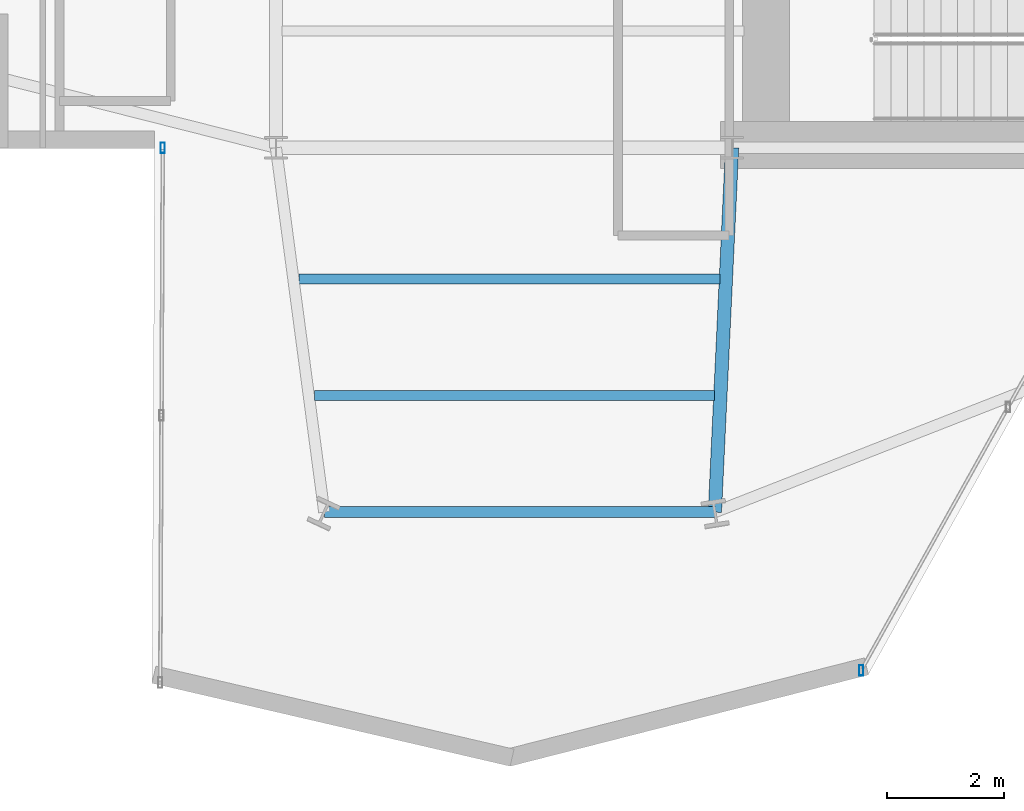
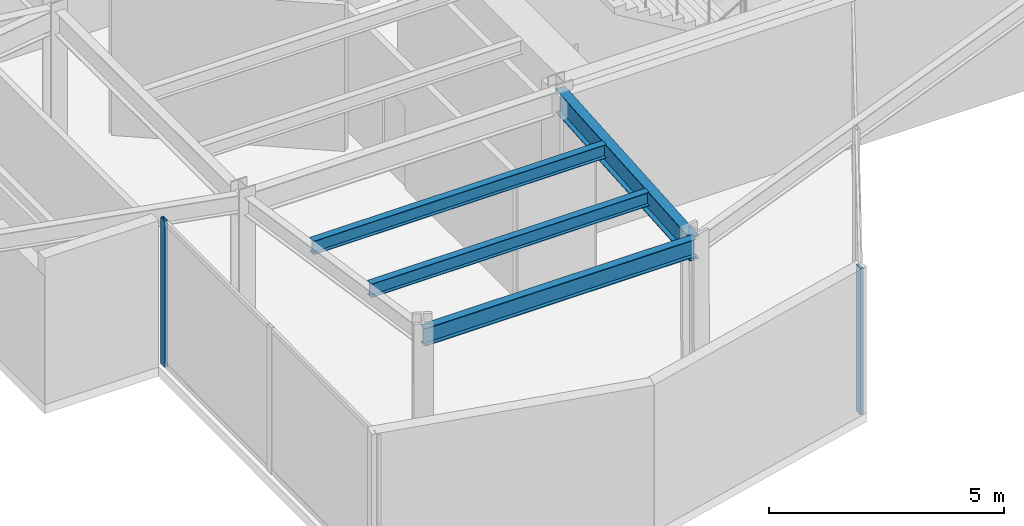
# One storey, part 5 of 23: 4 beams, 2 members, 2 elements without a shape of their own.
"""IFC4 building model written with IfcOpenShell, lengths in metres."""

from ifc_helpers import new_model, si_unit, direction, frame, origin, origin_2d, place, context, subcontext, project, spatial, hollow_rectangle, i_section, extrude, material, layer, layer_set, material_profile, profile_set, type_object, element, aggregate, save


model = new_model("IFC4")

# Units and contexts
model_context = context("Model", 3, precision=1e-05, world=origin(), true_north=direction((0.0, 1.0)))
body_context = subcontext(model_context, "Body", "Model", "MODEL_VIEW")
ifc_project = project(units=[si_unit("LENGTHUNIT", "METRE"), si_unit("AREAUNIT", "SQUARE_METRE"), si_unit("VOLUMEUNIT", "CUBIC_METRE"), si_unit("PLANEANGLEUNIT", "RADIAN"), si_unit("MASSUNIT", "GRAM", prefix="KILO")], contexts=[model_context])

# Site, building, storey
site_placement = place(None, origin())
site = spatial("IfcSite", under=ifc_project, at=site_placement, CompositionType="ELEMENT")
building_placement = place(site_placement, origin())
building = spatial("IfcBuilding", under=site, at=building_placement, Name="Veymaron Broadcast Tower", CompositionType="ELEMENT")
storey_placement = place(building_placement, frame((0.0, 0.0, 161.39990234375)))
storey = spatial("IfcBuildingStorey", under=building, at=storey_placement, Name="L37", CompositionType="ELEMENT", Elevation=161.39990234375)

# Beams
ifc_material_1 = material(Name="Structural steel ASTM A992 Gr 50", Category="steel")
ifc_material_profile_1 = material_profile(ifc_material_1, i_section(OverallWidth=0.22802734375, OverallDepth=0.60791015625, WebThickness=0.01123046875, FlangeThickness=0.017333984375, at=origin_2d()), Name="W610X113")
ifc_profile_set_1 = profile_set([ifc_material_profile_1], Name="Structural steel ASTM A992 Gr 50")
beam_type_1 = type_object("IfcBeamType", Name="BM-FG2", PredefinedType="BEAM", material=ifc_profile_set_1)
beam_1_placement = place(storey_placement, frame((39.0, 16.0, 3.506103515625), z_axis=(-0.047286178802, -0.998881382995, 0.0), x_axis=(0.998881382995, -0.047286178802, 0.0)))
element("IfcBeam", 1, at=beam_1_placement, inside=storey, type_object=beam_type_1, Name="L37 primary structural floor girder", PredefinedType="BEAM", context=body_context, shape_type="SweptSolid", body=[
    extrude(i_section(OverallWidth=0.22802734375, OverallDepth=0.60791015625, WebThickness=0.01123046875, FlangeThickness=0.017333984375, at=origin_2d()), origin(), (0.0, 0.0, 1.0), 6.237060546875),
])
ifc_material_profile_2 = material_profile(ifc_material_1, i_section(OverallWidth=0.1708984375, OverallDepth=0.35498046875, WebThickness=0.007080078125, FlangeThickness=0.01171875, at=origin_2d()), Name="W360X51")
ifc_profile_set_2 = profile_set([ifc_material_profile_2], Name="Structural steel ASTM A992 Gr 50")
beam_type_2 = type_object("IfcBeamType", Name="BM-JS2", PredefinedType="JOIST", material=ifc_profile_set_2)
beam_2_placement = place(storey_placement, frame((31.597412109375, 13.757080078125, 3.632568359375), z_axis=(1.0, 0.0, 0.0), x_axis=(0.0, 1.0, 0.0)))
element("IfcBeam", 2, at=beam_2_placement, inside=storey, type_object=beam_type_2, Name="L37 Arm-C secondary joist 1", PredefinedType="JOIST", context=body_context, shape_type="SweptSolid", body=[
    extrude(i_section(OverallWidth=0.1708984375, OverallDepth=0.35498046875, WebThickness=0.007080078125, FlangeThickness=0.01171875, at=origin_2d()), origin(), (0.0, 0.0, 1.0), 7.1962890625),
])
beam_3_placement = place(storey_placement, frame((31.86181640625, 11.763671875, 3.632568359375), z_axis=(1.0, 0.0, 0.0), x_axis=(0.0, 1.0, 0.0)))
element("IfcBeam", 3, at=beam_3_placement, inside=storey, type_object=beam_type_2, Name="L37 Arm-C secondary joist 2", PredefinedType="JOIST", context=body_context, shape_type="SweptSolid", body=[
    extrude(i_section(OverallWidth=0.1708984375, OverallDepth=0.35498046875, WebThickness=0.007080078125, FlangeThickness=0.01171875, at=origin_2d()), origin(), (0.0, 0.0, 1.0), 6.837646484375),
])
ifc_material_profile_3 = material_profile(ifc_material_1, i_section(OverallWidth=0.19091796875, OverallDepth=0.4599609375, WebThickness=0.010009765625, FlangeThickness=0.01611328125, at=origin_2d()), Name="W460X82")
ifc_profile_set_3 = profile_set([ifc_material_profile_3], Name="Structural steel ASTM A992 Gr 50")
beam_type_3 = type_object("IfcBeamType", Name="BM-SP1", PredefinedType="SPANDREL", material=ifc_profile_set_3)
beam_4_placement = place(storey_placement, frame((32.02587890625, 9.77001953125, 3.580078125), z_axis=(1.0, 0.0, 0.0), x_axis=(0.0, 1.0, 0.0)))
element("IfcBeam", 4, at=beam_4_placement, inside=storey, type_object=beam_type_3, Name="L37 primary structural floor girder", PredefinedType="SPANDREL", context=body_context, shape_type="SweptSolid", body=[
    extrude(i_section(OverallWidth=0.19091796875, OverallDepth=0.4599609375, WebThickness=0.010009765625, FlangeThickness=0.01611328125, at=origin_2d()), origin(), (0.0, 0.0, 1.0), 6.67919921875),
])

# Curtain wall, member
ifc_material_2 = material(Name="Anodised aluminium AA 6063-T6 and laminated low-E dark glass", Category="aluminium")
ifc_layer = layer(ifc_material_2, 0.179931640625)
ifc_layer_set = layer_set([ifc_layer], Name="Anodised aluminium AA 6063-T6 and laminated low-E dark glass")
curtain_wall_type = type_object("IfcCurtainWallType", Name="CW-SYS-03", PredefinedType="NOTDEFINED", material=ifc_layer_set)
curtain_wall_1_placement = place(storey_placement, origin())
curtain_wall_1 = element("IfcCurtainWall", 5, at=curtain_wall_1_placement, inside=storey, type_object=curtain_wall_type, Name="L37 dark-glass curtain wall CW-L37-E1-1", PredefinedType="NOTDEFINED")
ifc_material_3 = material(Name="Anodised aluminium AA 6063-T6", Category="aluminium")
ifc_material_profile_4 = material_profile(ifc_material_3, hollow_rectangle(XDim=0.074951171875, YDim=0.179931640625, WallThickness=0.0048828125, at=origin_2d()), Name="AL180X75X5")
ifc_profile_set_4 = profile_set([ifc_material_profile_4], Name="Anodised aluminium AA 6063-T6")
member_type = type_object("IfcMemberType", Name="CW-MUL-02", PredefinedType="MULLION", material=ifc_profile_set_4)
member_1_placement = place(storey_placement, frame((41.2080078125, 7.064208984375, 0.0), z_axis=(0.0, 0.0, 1.0), x_axis=(1.0, 0.0, 0.0)))
member_1 = element("IfcMember", 6, at=member_1_placement, type_object=member_type, Name="CW-L37-E1-1 mullion 0", PredefinedType="MULLION", context=body_context, shape_type="SweptSolid", body=[
    extrude(hollow_rectangle(XDim=0.074951171875, YDim=0.179931640625, WallThickness=0.0048828125, at=origin_2d()), origin(), (0.0, 0.0, 1.0), 3.81005859375),
])
aggregate(curtain_wall_1, [member_1])

curtain_wall_2_placement = place(storey_placement, origin())
curtain_wall_2 = element("IfcCurtainWall", 7, at=curtain_wall_2_placement, inside=storey, type_object=curtain_wall_type, Name="L37 dark-glass curtain wall CW-L37-E17-1", PredefinedType="NOTDEFINED")
member_2_placement = place(storey_placement, frame((29.264404296875, 15.999267578125, 0.0), z_axis=(0.0, 0.0, 1.0), x_axis=(1.0, 0.0, 0.0)))
member_2 = element("IfcMember", 8, at=member_2_placement, type_object=member_type, Name="CW-L37-E17-1 mullion 0", PredefinedType="MULLION", context=body_context, shape_type="SweptSolid", body=[
    extrude(hollow_rectangle(XDim=0.074951171875, YDim=0.179931640625, WallThickness=0.0048828125, at=origin_2d()), origin(), (0.0, 0.0, 1.0), 3.81005859375),
])
aggregate(curtain_wall_2, [member_2])

save(model, "model.ifc")
